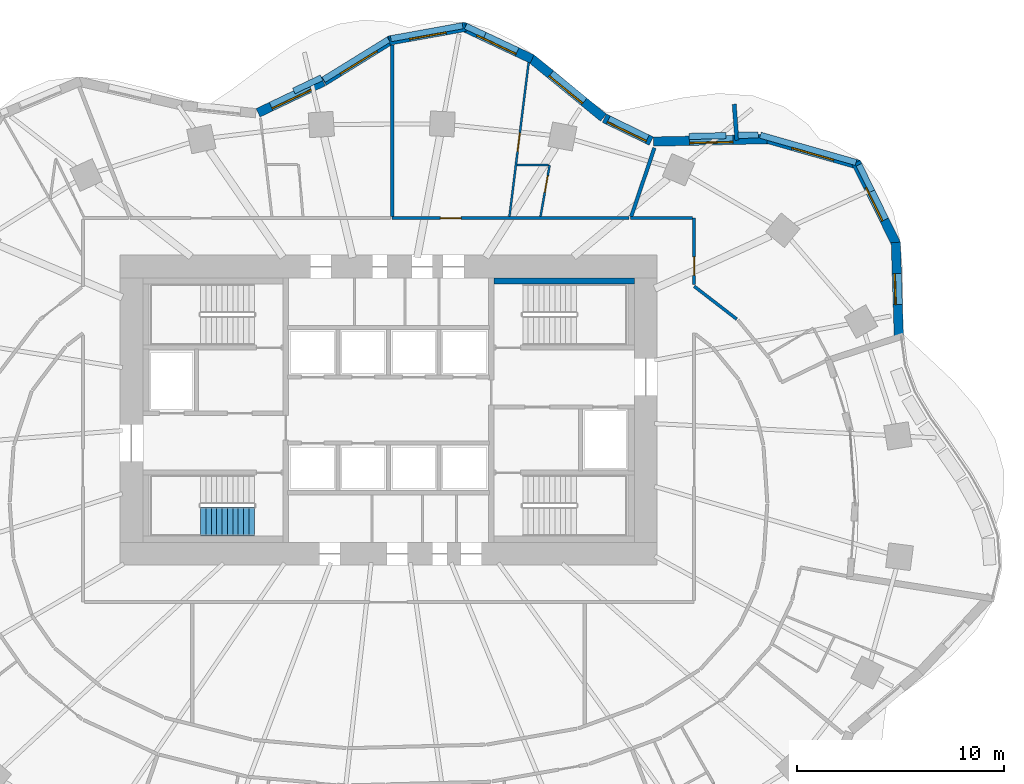
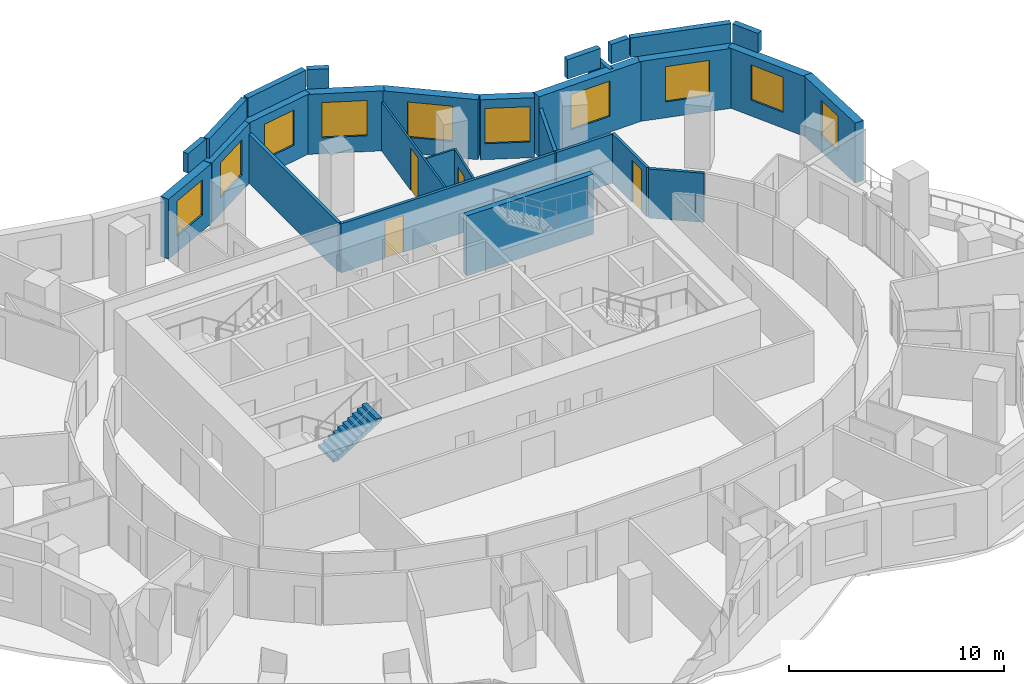
# One storey, part 10 of 13: 29 walls, 10 windows, 4 doors, 1 stair flight, 14 openings, 1 element without a shape of its own.
"""IFC4 building model written with IfcOpenShell, lengths in metres."""

from ifc_helpers import new_model, si_unit, direction, frame, frame_2d, origin, place, context, subcontext, project, spatial, polyline, rectangle, outline, extrude, material, layer, layer_set, type_object, element, fill, aggregate, save


model = new_model("IFC4")

# Units and contexts
model_context = context("Model", 3, precision=1e-05, world=origin(), true_north=direction((0.0, 1.0)))
body_context = subcontext(model_context, "Body", "Model", "MODEL_VIEW")
ifc_project = project(units=[si_unit("LENGTHUNIT", "METRE"), si_unit("AREAUNIT", "SQUARE_METRE"), si_unit("VOLUMEUNIT", "CUBIC_METRE"), si_unit("PLANEANGLEUNIT", "RADIAN"), si_unit("MASSUNIT", "GRAM", prefix="KILO")], contexts=[model_context])

# Site, building, storey
site_placement = place(None, origin())
site = spatial("IfcSite", under=ifc_project, at=site_placement, CompositionType="ELEMENT")
building_placement = place(site_placement, origin())
building = spatial("IfcBuilding", under=site, at=building_placement, Name="Rubra Terraces Tower", CompositionType="ELEMENT")
storey_placement = place(building_placement, frame((0.0, 0.0, 85.199951171875)))
storey = spatial("IfcBuildingStorey", under=building, at=storey_placement, Name="L19", CompositionType="ELEMENT", Elevation=85.199951171875)

# Walls
ifc_material_1 = material(Name="Twin plasterboard on staggered steel stud, acoustic mineral wool", Category="steel")
ifc_layer_1 = layer(ifc_material_1, 0.175048828125)
ifc_layer_set_1 = layer_set([ifc_layer_1], Name="Twin plasterboard on staggered steel stud, acoustic mineral wool")
wall_type_1 = type_object("IfcWallType", Name="ACOUSTIC PARTY WALL 175", PredefinedType="PARTITIONING", material=ifc_layer_set_1)
wall_1_placement = place(storey_placement, frame((12.8779296875, 17.2001953125, 0.0), z_axis=(0.0, 0.0, 1.0), x_axis=(-0.320642197559, -0.947200391229, 0.0)))
element("IfcWall", 1, at=wall_1_placement, inside=storey, type_object=wall_type_1, Name="PARTITION", PredefinedType="PARTITIONING", context=body_context, shape_type="SweptSolid", body=[
    extrude(rectangle(XDim=3.5146484375, YDim=0.175048828125, at=frame_2d((1.75732421875, 0.0))), origin(), (0.0, 0.0, 1.0), 2.783935546875),
])
wall_2_placement = place(storey_placement, frame((0.189208984375, 22.189697265625, 0.0), z_axis=(0.0, 0.0, 1.0), x_axis=(-0.001967286324, -0.99999806489, 0.0)))
element("IfcWall", 2, at=wall_2_placement, inside=storey, type_object=wall_type_1, Name="PARTITION", PredefinedType="PARTITIONING", context=body_context, shape_type="SweptSolid", body=[
    extrude(rectangle(XDim=8.314697265625, YDim=0.175048828125, at=frame_2d((4.1572265625, 0.0))), origin(), (0.0, 0.0, 1.0), 2.783935546875),
])

# Wall, opening, window
ifc_material_2 = material(Name="Brick masonry red-brown", Category="masonry")
ifc_layer_2 = layer(ifc_material_2, 0.449951171875)
ifc_layer_set_2 = layer_set([ifc_layer_2], Name="Brick masonry red-brown")
wall_type_2 = type_object("IfcWallType", Name="Brick facade wall 450", PredefinedType="SOLIDWALL", material=ifc_layer_set_2)
wall_3_placement = place(storey_placement, frame((24.708984375, 8.09375, 0.0), z_axis=(0.0, 0.0, 1.0), x_axis=(-0.031942732015, 0.999489700733, 0.0)))
wall_3 = element("IfcWall", 3, at=wall_3_placement, inside=storey, type_object=wall_type_2, Name="Facade wall L19 bay 3", PredefinedType="SOLIDWALL", context=body_context, shape_type="SweptSolid", body=[
    extrude(rectangle(XDim=4.5322265625, YDim=0.449951171875, at=frame_2d((2.26611328125, 0.0))), origin(), (0.0, 0.0, 1.0), 3.400146484375),
])
opening_1_placement = place(wall_3_placement, frame((1.51611328125, 0.0, 0.89990234375)))
opening_1 = element("IfcOpeningElement", 4, at=opening_1_placement, cuts=wall_3, Name="Opening W7", PredefinedType="OPENING", context=body_context, shape_type="SweptSolid", body=[
    extrude(rectangle(XDim=1.5, YDim=2.0, at=frame_2d((0.75, 1.0))), frame((0.0, 0.23486328125, 0.0), z_axis=(0.0, -1.0, 0.0), x_axis=(1.0, 0.0, 0.0)), (0.0, 0.0, 1.0), 0.469970703125),
])
ifc_material_3 = material(Name="Clear glass in aluminium frame", Category="aluminium")
window_type_1 = type_object("IfcWindowType", Name="Fixed deep-set window beside terrace 1500 x 2000", PartitioningType="SINGLE_PANEL", PredefinedType="WINDOW", material=ifc_material_3)
window_1_placement = place(opening_1_placement, origin())
window_1 = element("IfcWindow", 5, at=window_1_placement, inside=storey, type_object=window_type_1, Name="Window L19 bay 3", OverallHeight=2.0, OverallWidth=1.5, PartitioningType="SINGLE_PANEL", PredefinedType="WINDOW", context=body_context, shape_type="SweptSolid", body=[
    extrude(rectangle(XDim=1.5, YDim=2.0, at=frame_2d((0.75, 1.0))), frame((0.0, 0.135009765625, 0.0), z_axis=(0.0, -1.0, 0.0), x_axis=(1.0, 0.0, 0.0)), (0.0, 0.0, 1.0), 0.06005859375),
])
fill(opening_1, window_1)

wall_4_placement = place(storey_placement, frame((24.587158203125, 12.531494140625, 0.0), z_axis=(0.0, 0.0, 1.0), x_axis=(-0.441565582365, 0.897228976611, 0.0)))
wall_4 = element("IfcWall", 6, at=wall_4_placement, inside=storey, type_object=wall_type_2, Name="Facade wall L19 bay 4", PredefinedType="SOLIDWALL", context=body_context, shape_type="SweptSolid", body=[
    extrude(rectangle(XDim=4.416015625, YDim=0.449951171875, at=frame_2d((2.2080078125, 0.0))), origin(), (0.0, 0.0, 1.0), 3.400146484375),
])
opening_2_placement = place(wall_4_placement, frame((1.307861328125, 0.0, 0.89990234375)))
opening_2 = element("IfcOpeningElement", 7, at=opening_2_placement, cuts=wall_4, Name="Opening W6", PredefinedType="OPENING", context=body_context, shape_type="SweptSolid", body=[
    extrude(rectangle(XDim=1.800048828125, YDim=2.0, at=frame_2d((0.89990234375, 1.0))), frame((0.0, 0.23486328125, 0.0), z_axis=(0.0, -1.0, 0.0), x_axis=(1.0, 0.0, 0.0)), (0.0, 0.0, 1.0), 0.469970703125),
])
window_type_2 = type_object("IfcWindowType", Name="Fixed deep-set window at wind fin 1800 x 2000", PartitioningType="SINGLE_PANEL", PredefinedType="WINDOW", material=ifc_material_3)
window_2_placement = place(opening_2_placement, origin())
window_2 = element("IfcWindow", 8, at=window_2_placement, inside=storey, type_object=window_type_2, Name="Window L19 bay 4", OverallHeight=2.0, OverallWidth=1.800048828125, PartitioningType="SINGLE_PANEL", PredefinedType="WINDOW", context=body_context, shape_type="SweptSolid", body=[
    extrude(rectangle(XDim=1.800048828125, YDim=2.0, at=frame_2d((0.89990234375, 1.0))), frame((0.0, 0.135009765625, 0.0), z_axis=(0.0, -1.0, 0.0), x_axis=(1.0, 0.0, 0.0)), (0.0, 0.0, 1.0), 0.06005859375),
])
fill(opening_2, window_2)

wall_5_placement = place(storey_placement, frame((22.777587890625, 16.376708984375, 0.0), z_axis=(0.0, 0.0, 1.0), x_axis=(-0.961872816949, 0.273497137123, 0.0)))
wall_5 = element("IfcWall", 9, at=wall_5_placement, inside=storey, type_object=wall_type_2, Name="Facade wall L19 bay 5", PredefinedType="SOLIDWALL", context=body_context, shape_type="SweptSolid", body=[
    extrude(rectangle(XDim=4.584716796875, YDim=0.449951171875, at=frame_2d((2.29248046875, 0.0))), origin(), (0.0, 0.0, 1.0), 3.400146484375),
])
opening_3_placement = place(wall_5_placement, frame((1.242431640625, 0.0, 0.89990234375)))
opening_3 = element("IfcOpeningElement", 10, at=opening_3_placement, cuts=wall_5, Name="Opening W1", PredefinedType="OPENING", context=body_context, shape_type="SweptSolid", body=[
    extrude(rectangle(XDim=2.10009765625, YDim=2.0, at=frame_2d((1.050048828125, 1.0))), frame((0.0, 0.23486328125, 0.0), z_axis=(0.0, -1.0, 0.0), x_axis=(1.0, 0.0, 0.0)), (0.0, 0.0, 1.0), 0.469970703125),
])
window_type_3 = type_object("IfcWindowType", Name="Fixed deep-set window 2100 x 2000", PartitioningType="SINGLE_PANEL", PredefinedType="WINDOW", material=ifc_material_3)
window_3_placement = place(opening_3_placement, origin())
window_3 = element("IfcWindow", 11, at=window_3_placement, inside=storey, type_object=window_type_3, Name="Window L19 bay 5", OverallHeight=2.0, OverallWidth=2.10009765625, PartitioningType="SINGLE_PANEL", PredefinedType="WINDOW", context=body_context, shape_type="SweptSolid", body=[
    extrude(rectangle(XDim=2.10009765625, YDim=2.0, at=frame_2d((1.050048828125, 1.0))), frame((0.0, 0.135009765625, 0.0), z_axis=(0.0, -1.0, 0.0), x_axis=(1.0, 0.0, 0.0)), (0.0, 0.0, 1.0), 0.06005859375),
])
fill(opening_3, window_3)

wall_6_placement = place(storey_placement, frame((18.433837890625, 17.622314453125, 0.0), z_axis=(0.0, 0.0, 1.0), x_axis=(-0.999773749739, -0.021270856405, 0.0)))
wall_6 = element("IfcWall", 12, at=wall_6_placement, inside=storey, type_object=wall_type_2, Name="Facade wall L19 bay 6", PredefinedType="SOLIDWALL", context=body_context, shape_type="SweptSolid", body=[
    extrude(rectangle(XDim=5.612548828125, YDim=0.449951171875, at=frame_2d((2.80615234375, 0.0))), origin(), (0.0, 0.0, 1.0), 3.400146484375),
])
opening_4_placement = place(wall_6_placement, frame((1.75634765625, 0.0, 0.89990234375)))
opening_4 = element("IfcOpeningElement", 13, at=opening_4_placement, cuts=wall_6, Name="Opening W1", PredefinedType="OPENING", context=body_context, shape_type="SweptSolid", body=[
    extrude(rectangle(XDim=2.10009765625, YDim=2.0, at=frame_2d((1.050048828125, 1.0))), frame((0.0, 0.23486328125, 0.0), z_axis=(0.0, -1.0, 0.0), x_axis=(1.0, 0.0, 0.0)), (0.0, 0.0, 1.0), 0.469970703125),
])
window_4_placement = place(opening_4_placement, origin())
window_4 = element("IfcWindow", 14, at=window_4_placement, inside=storey, type_object=window_type_3, Name="Window L19 bay 6", OverallHeight=2.0, OverallWidth=2.10009765625, PartitioningType="SINGLE_PANEL", PredefinedType="WINDOW", context=body_context, shape_type="SweptSolid", body=[
    extrude(rectangle(XDim=2.10009765625, YDim=2.0, at=frame_2d((1.050048828125, 1.0))), frame((0.0, 0.135009765625, 0.0), z_axis=(0.0, -1.0, 0.0), x_axis=(1.0, 0.0, 0.0)), (0.0, 0.0, 1.0), 0.06005859375),
])
fill(opening_4, window_4)

wall_7_placement = place(storey_placement, frame((12.718994140625, 17.52587890625, 0.0), z_axis=(0.0, 0.0, 1.0), x_axis=(-0.898643806462, 0.438679050226, 0.0)))
wall_7 = element("IfcWall", 15, at=wall_7_placement, inside=storey, type_object=wall_type_2, Name="Facade wall L19 bay 7", PredefinedType="SOLIDWALL", context=body_context, shape_type="SweptSolid", body=[
    extrude(rectangle(XDim=2.5234375, YDim=0.449951171875, at=frame_2d((1.26171875, 0.0))), origin(), (0.0, 0.0, 1.0), 3.400146484375),
])
opening_5_placement = place(wall_7_placement, frame((0.2119140625, 0.0, 0.89990234375)))
opening_5 = element("IfcOpeningElement", 16, at=opening_5_placement, cuts=wall_7, Name="Opening W1", PredefinedType="OPENING", context=body_context, shape_type="SweptSolid", body=[
    extrude(rectangle(XDim=2.10009765625, YDim=2.0, at=frame_2d((1.050048828125, 1.0))), frame((0.0, 0.23486328125, 0.0), z_axis=(0.0, -1.0, 0.0), x_axis=(1.0, 0.0, 0.0)), (0.0, 0.0, 1.0), 0.469970703125),
])
window_5_placement = place(opening_5_placement, origin())
window_5 = element("IfcWindow", 17, at=window_5_placement, inside=storey, type_object=window_type_3, Name="Window L19 bay 7", OverallHeight=2.0, OverallWidth=2.10009765625, PartitioningType="SINGLE_PANEL", PredefinedType="WINDOW", context=body_context, shape_type="SweptSolid", body=[
    extrude(rectangle(XDim=2.10009765625, YDim=2.0, at=frame_2d((1.050048828125, 1.0))), frame((0.0, 0.135009765625, 0.0), z_axis=(0.0, -1.0, 0.0), x_axis=(1.0, 0.0, 0.0)), (0.0, 0.0, 1.0), 0.06005859375),
])
fill(opening_5, window_5)

wall_8_placement = place(storey_placement, frame((10.407470703125, 18.660888671875, 0.0), z_axis=(0.0, 0.0, 1.0), x_axis=(-0.773702458947, 0.633549133864, 0.0)))
wall_8 = element("IfcWall", 18, at=wall_8_placement, inside=storey, type_object=wall_type_2, Name="Facade wall L19 bay 8", PredefinedType="SOLIDWALL", context=body_context, shape_type="SweptSolid", body=[
    extrude(rectangle(XDim=4.525634765625, YDim=0.449951171875, at=frame_2d((2.2626953125, 0.0))), origin(), (0.0, 0.0, 1.0), 3.400146484375),
])
opening_6_placement = place(wall_8_placement, frame((1.212890625, 0.0, 0.89990234375)))
opening_6 = element("IfcOpeningElement", 19, at=opening_6_placement, cuts=wall_8, Name="Opening W1", PredefinedType="OPENING", context=body_context, shape_type="SweptSolid", body=[
    extrude(rectangle(XDim=2.10009765625, YDim=2.0, at=frame_2d((1.050048828125, 1.0))), frame((0.0, 0.23486328125, 0.0), z_axis=(0.0, -1.0, 0.0), x_axis=(1.0, 0.0, 0.0)), (0.0, 0.0, 1.0), 0.469970703125),
])
window_6_placement = place(opening_6_placement, origin())
window_6 = element("IfcWindow", 20, at=window_6_placement, inside=storey, type_object=window_type_3, Name="Window L19 bay 8", OverallHeight=2.0, OverallWidth=2.10009765625, PartitioningType="SINGLE_PANEL", PredefinedType="WINDOW", context=body_context, shape_type="SweptSolid", body=[
    extrude(rectangle(XDim=2.10009765625, YDim=2.0, at=frame_2d((1.050048828125, 1.0))), frame((0.0, 0.135009765625, 0.0), z_axis=(0.0, -1.0, 0.0), x_axis=(1.0, 0.0, 0.0)), (0.0, 0.0, 1.0), 0.06005859375),
])
fill(opening_6, window_6)

wall_9_placement = place(storey_placement, frame((6.952880859375, 21.49853515625, 0.0), z_axis=(0.0, 0.0, 1.0), x_axis=(-0.905034581957, 0.425337989676, 0.0)))
wall_9 = element("IfcWall", 21, at=wall_9_placement, inside=storey, type_object=wall_type_2, Name="Facade wall L19 bay 9", PredefinedType="SOLIDWALL", context=body_context, shape_type="SweptSolid", body=[
    extrude(rectangle(XDim=3.71435546875, YDim=0.449951171875, at=frame_2d((1.857177734375, 0.0))), origin(), (0.0, 0.0, 1.0), 3.400146484375),
])
opening_7_placement = place(wall_9_placement, frame((0.80712890625, 0.0, 0.89990234375)))
opening_7 = element("IfcOpeningElement", 22, at=opening_7_placement, cuts=wall_9, Name="Opening W1", PredefinedType="OPENING", context=body_context, shape_type="SweptSolid", body=[
    extrude(rectangle(XDim=2.10009765625, YDim=2.0, at=frame_2d((1.050048828125, 1.0))), frame((0.0, 0.23486328125, 0.0), z_axis=(0.0, -1.0, 0.0), x_axis=(1.0, 0.0, 0.0)), (0.0, 0.0, 1.0), 0.469970703125),
])
window_7_placement = place(opening_7_placement, origin())
window_7 = element("IfcWindow", 23, at=window_7_placement, inside=storey, type_object=window_type_3, Name="Window L19 bay 9", OverallHeight=2.0, OverallWidth=2.10009765625, PartitioningType="SINGLE_PANEL", PredefinedType="WINDOW", context=body_context, shape_type="SweptSolid", body=[
    extrude(rectangle(XDim=2.10009765625, YDim=2.0, at=frame_2d((1.050048828125, 1.0))), frame((0.0, 0.135009765625, 0.0), z_axis=(0.0, -1.0, 0.0), x_axis=(1.0, 0.0, 0.0)), (0.0, 0.0, 1.0), 0.06005859375),
])
fill(opening_7, window_7)

wall_10_placement = place(storey_placement, frame((3.726806640625, 23.060546875, 0.0), z_axis=(0.0, 0.0, 1.0), x_axis=(-0.984119180424, -0.177508982087, 0.0)))
wall_10 = element("IfcWall", 24, at=wall_10_placement, inside=storey, type_object=wall_type_2, Name="Facade wall L19 bay 10", PredefinedType="SOLIDWALL", context=body_context, shape_type="SweptSolid", body=[
    extrude(rectangle(XDim=3.74658203125, YDim=0.449951171875, at=frame_2d((1.873291015625, 0.0))), origin(), (0.0, 0.0, 1.0), 3.400146484375),
])
opening_8_placement = place(wall_10_placement, frame((0.97314453125, 0.0, 0.89990234375)))
opening_8 = element("IfcOpeningElement", 25, at=opening_8_placement, cuts=wall_10, Name="Opening W6", PredefinedType="OPENING", context=body_context, shape_type="SweptSolid", body=[
    extrude(rectangle(XDim=1.800048828125, YDim=2.0, at=frame_2d((0.89990234375, 1.0))), frame((0.0, 0.23486328125, 0.0), z_axis=(0.0, -1.0, 0.0), x_axis=(1.0, 0.0, 0.0)), (0.0, 0.0, 1.0), 0.469970703125),
])
window_8_placement = place(opening_8_placement, origin())
window_8 = element("IfcWindow", 26, at=window_8_placement, inside=storey, type_object=window_type_2, Name="Window L19 bay 10", OverallHeight=2.0, OverallWidth=1.800048828125, PartitioningType="SINGLE_PANEL", PredefinedType="WINDOW", context=body_context, shape_type="SweptSolid", body=[
    extrude(rectangle(XDim=1.800048828125, YDim=2.0, at=frame_2d((0.89990234375, 1.0))), frame((0.0, 0.135009765625, 0.0), z_axis=(0.0, -1.0, 0.0), x_axis=(1.0, 0.0, 0.0)), (0.0, 0.0, 1.0), 0.06005859375),
])
fill(opening_8, window_8)

wall_11_placement = place(storey_placement, frame((0.114990234375, 22.423583984375, 0.0), z_axis=(0.0, 0.0, 1.0), x_axis=(-0.8506970368, -0.525656305564, 0.0)))
wall_11 = element("IfcWall", 27, at=wall_11_placement, inside=storey, type_object=wall_type_2, Name="Facade wall L19 bay 11", PredefinedType="SOLIDWALL", context=body_context, shape_type="SweptSolid", body=[
    extrude(rectangle(XDim=3.81640625, YDim=0.449951171875, at=frame_2d((1.908203125, 0.0))), origin(), (0.0, 0.0, 1.0), 3.400146484375),
])
opening_9_placement = place(wall_11_placement, frame((0.858154296875, 0.0, 0.89990234375)))
opening_9 = element("IfcOpeningElement", 28, at=opening_9_placement, cuts=wall_11, Name="Opening W1", PredefinedType="OPENING", context=body_context, shape_type="SweptSolid", body=[
    extrude(rectangle(XDim=2.10009765625, YDim=2.0, at=frame_2d((1.050048828125, 1.0))), frame((0.0, 0.23486328125, 0.0), z_axis=(0.0, -1.0, 0.0), x_axis=(1.0, 0.0, 0.0)), (0.0, 0.0, 1.0), 0.469970703125),
])
window_9_placement = place(opening_9_placement, origin())
window_9 = element("IfcWindow", 29, at=window_9_placement, inside=storey, type_object=window_type_3, Name="Window L19 bay 11", OverallHeight=2.0, OverallWidth=2.10009765625, PartitioningType="SINGLE_PANEL", PredefinedType="WINDOW", context=body_context, shape_type="SweptSolid", body=[
    extrude(rectangle(XDim=2.10009765625, YDim=2.0, at=frame_2d((1.050048828125, 1.0))), frame((0.0, 0.135009765625, 0.0), z_axis=(0.0, -1.0, 0.0), x_axis=(1.0, 0.0, 0.0)), (0.0, 0.0, 1.0), 0.06005859375),
])
fill(opening_9, window_9)

wall_12_placement = place(storey_placement, frame((-3.153564453125, 20.406005859375, 0.0), z_axis=(0.0, 0.0, 1.0), x_axis=(-0.902333313, -0.431038968367, 0.0)))
wall_12 = element("IfcWall", 30, at=wall_12_placement, inside=storey, type_object=wall_type_2, Name="Facade wall L19 bay 12", PredefinedType="SOLIDWALL", context=body_context, shape_type="SweptSolid", body=[
    extrude(rectangle(XDim=3.50537109375, YDim=0.449951171875, at=frame_2d((1.752685546875, 0.0))), origin(), (0.0, 0.0, 1.0), 3.400146484375),
])
opening_10_placement = place(wall_12_placement, frame((0.702880859375, 0.0, 0.89990234375)))
opening_10 = element("IfcOpeningElement", 31, at=opening_10_placement, cuts=wall_12, Name="Opening W1", PredefinedType="OPENING", context=body_context, shape_type="SweptSolid", body=[
    extrude(rectangle(XDim=2.10009765625, YDim=2.0, at=frame_2d((1.050048828125, 1.0))), frame((0.0, 0.23486328125, 0.0), z_axis=(0.0, -1.0, 0.0), x_axis=(1.0, 0.0, 0.0)), (0.0, 0.0, 1.0), 0.469970703125),
])
window_10_placement = place(opening_10_placement, origin())
window_10 = element("IfcWindow", 32, at=window_10_placement, inside=storey, type_object=window_type_3, Name="Window L19 bay 12", OverallHeight=2.0, OverallWidth=2.10009765625, PartitioningType="SINGLE_PANEL", PredefinedType="WINDOW", context=body_context, shape_type="SweptSolid", body=[
    extrude(rectangle(XDim=2.10009765625, YDim=2.0, at=frame_2d((1.050048828125, 1.0))), frame((0.0, 0.135009765625, 0.0), z_axis=(0.0, -1.0, 0.0), x_axis=(1.0, 0.0, 0.0)), (0.0, 0.0, 1.0), 0.06005859375),
])
fill(opening_10, window_10)

# Walls
ifc_layer_3 = layer(ifc_material_2, 0.300048828125)
ifc_layer_set_3 = layer_set([ifc_layer_3], Name="Brick masonry red-brown")
wall_type_3 = type_object("IfcWallType", Name="Brick parapet 300", PredefinedType="PARAPET", material=ifc_layer_set_3)
wall_13_placement = place(storey_placement, frame((23.40673828125, 15.099609375, 3.60009765625), z_axis=(0.0, 0.0, 1.0), x_axis=(-0.441525139575, 0.897248879143, 0.0)))
element("IfcWall", 33, at=wall_13_placement, inside=storey, type_object=wall_type_3, Name="Parapet L19 bay 4", PredefinedType="PARAPET", context=body_context, shape_type="SweptSolid", body=[
    extrude(rectangle(XDim=1.42724609375, YDim=0.300048828125, at=frame_2d((0.713623046875, 0.0))), origin(), (0.0, 0.0, 1.0), 1.099853515625),
])
wall_14_placement = place(storey_placement, frame((22.640869140625, 16.493408203125, 3.60009765625), z_axis=(0.0, 0.0, 1.0), x_axis=(-0.961855991684, 0.273556303641, 0.0)))
element("IfcWall", 34, at=wall_14_placement, inside=storey, type_object=wall_type_3, Name="Parapet L19 bay 5", PredefinedType="PARAPET", context=body_context, shape_type="SweptSolid", body=[
    extrude(rectangle(XDim=4.817626953125, YDim=0.300048828125, at=frame_2d((2.40869140625, 0.0))), origin(), (0.0, 0.0, 1.0), 1.099853515625),
])
wall_15_placement = place(storey_placement, frame((17.904052734375, 17.824462890625, 3.60009765625), z_axis=(0.0, 0.0, 1.0), x_axis=(-0.999771907309, -0.021357278744, 0.0)))
element("IfcWall", 35, at=wall_15_placement, inside=storey, type_object=wall_type_3, Name="Parapet L19 bay 6", PredefinedType="PARAPET", context=body_context, shape_type="SweptSolid", body=[
    extrude(rectangle(XDim=0.9716796875, YDim=0.300048828125, at=frame_2d((0.48583984375, 0.0))), origin(), (0.0, 0.0, 1.0), 1.099853515625),
])
wall_16_placement = place(storey_placement, frame((16.339599609375, 17.791259765625, 3.60009765625), z_axis=(0.0, 0.0, 1.0), x_axis=(-0.999776010316, -0.021164337831, 0.0)))
element("IfcWall", 36, at=wall_16_placement, inside=storey, type_object=wall_type_3, Name="Parapet L19 bay 6.2", PredefinedType="PARAPET", context=body_context, shape_type="SweptSolid", body=[
    extrude(rectangle(XDim=1.7880859375, YDim=0.300048828125, at=frame_2d((0.89404296875, 0.0))), origin(), (0.0, 0.0, 1.0), 1.099853515625),
])
wall_17_placement = place(storey_placement, frame((4.66650390625, 22.656005859375, 3.60009765625), z_axis=(0.0, 0.0, 1.0), x_axis=(-0.905050240273, 0.425304670304, 0.0)))
element("IfcWall", 37, at=wall_17_placement, inside=storey, type_object=wall_type_3, Name="Parapet L19 bay 9", PredefinedType="PARAPET", context=body_context, shape_type="SweptSolid", body=[
    extrude(rectangle(XDim=1.02685546875, YDim=0.300048828125, at=frame_2d((0.513427734375, 0.0))), origin(), (0.0, 0.0, 1.0), 1.099853515625),
])
wall_18_placement = place(storey_placement, frame((3.58984375, 23.112060546875, 3.60009765625), z_axis=(0.0, 0.0, 1.0), x_axis=(-0.984124248147, -0.177480884064, 0.0)))
element("IfcWall", 38, at=wall_18_placement, inside=storey, type_object=wall_type_3, Name="Parapet L19 bay 10", PredefinedType="PARAPET", context=body_context, shape_type="SweptSolid", body=[
    extrude(rectangle(XDim=3.533935546875, YDim=0.300048828125, at=frame_2d((1.76708984375, 0.0))), origin(), (0.0, 0.0, 1.0), 1.099853515625),
])
wall_19_placement = place(storey_placement, frame((0.0048828125, 22.443603515625, 3.60009765625), z_axis=(0.0, 0.0, 1.0), x_axis=(-0.850710394144, -0.525634688063, 0.0)))
element("IfcWall", 39, at=wall_19_placement, inside=storey, type_object=wall_type_3, Name="Parapet L19 bay 11", PredefinedType="PARAPET", context=body_context, shape_type="SweptSolid", body=[
    extrude(rectangle(XDim=3.701904296875, YDim=0.300048828125, at=frame_2d((1.85107421875, 0.0))), origin(), (0.0, 0.0, 1.0), 1.099853515625),
])
wall_20_placement = place(storey_placement, frame((-3.2392578125, 20.594482421875, 3.60009765625), z_axis=(0.0, 0.0, 1.0), x_axis=(-0.902344893923, -0.431014724123, 0.0)))
element("IfcWall", 40, at=wall_20_placement, inside=storey, type_object=wall_type_3, Name="Parapet L19 bay 12", PredefinedType="PARAPET", context=body_context, shape_type="SweptSolid", body=[
    extrude(rectangle(XDim=1.48974609375, YDim=0.300048828125, at=frame_2d((0.744873046875, 0.0))), origin(), (0.0, 0.0, 1.0), 1.099853515625),
])
ifc_layer_4 = layer(ifc_material_2, 0.199951171875)
ifc_layer_set_4 = layer_set([ifc_layer_4], Name="Brick masonry red-brown")
wall_type_4 = type_object("IfcWallType", Name="Brick wind fin 200", PredefinedType="SOLIDWALL", material=ifc_layer_set_4)
wall_21_placement = place(storey_placement, frame((16.868896484375, 17.56591796875, 0.0), z_axis=(0.0, 0.0, 1.0), x_axis=(-0.073655868346, 0.997283717434, 0.0)))
element("IfcWall", 41, at=wall_21_placement, inside=storey, type_object=wall_type_4, Name="Wind fin L19 4", PredefinedType="SOLIDWALL", context=body_context, shape_type="SweptSolid", body=[
    extrude(rectangle(XDim=1.75, YDim=0.199951171875, at=frame_2d((0.875, 0.0))), origin(), (0.0, 0.0, 1.0), 3.400146484375),
])
ifc_material_4 = material(Name="Plasterboard on steel stud, mineral wool infill", Category="steel")
ifc_layer_5 = layer(ifc_material_4, 0.14990234375)
ifc_layer_set_5 = layer_set([ifc_layer_5], Name="Plasterboard on steel stud, mineral wool infill")
wall_type_5 = type_object("IfcWallType", Name="CORRIDOR PARTITION 150", PredefinedType="PARTITIONING", material=ifc_layer_set_5)
wall_22_placement = place(storey_placement, frame((16.86181640625, 8.905029296875, 0.0), z_axis=(0.0, 0.0, 1.0), x_axis=(-0.791542595332, 0.611113999001, 0.0)))
element("IfcWall", 42, at=wall_22_placement, inside=storey, type_object=wall_type_5, Name="PARTITION", PredefinedType="PARTITIONING", context=body_context, shape_type="SweptSolid", body=[
    extrude(rectangle(XDim=2.604736328125, YDim=0.14990234375, at=frame_2d((1.30224609375, 0.0))), origin(), (0.0, 0.0, 1.0), 2.783935546875),
])

# Wall, opening, door
wall_23_placement = place(storey_placement, frame((14.800048828125, 10.57177734375, 0.0), z_axis=(0.0, 0.0, 1.0), x_axis=(0.0, 1.0, 0.0)))
wall_23 = element("IfcWall", 43, at=wall_23_placement, inside=storey, type_object=wall_type_5, Name="PARTITION", PredefinedType="PARTITIONING", context=body_context, shape_type="SweptSolid", body=[
    extrude(rectangle(XDim=3.228271484375, YDim=0.14990234375, at=frame_2d((1.6142578125, 0.0))), origin(), (0.0, 0.0, 1.0), 2.783935546875),
])
opening_11_placement = place(wall_23_placement, frame((0.449951171875, 0.0, 0.0)))
opening_11 = element("IfcOpeningElement", 44, at=opening_11_placement, cuts=wall_23, Name="Opening 19-102", PredefinedType="OPENING", context=body_context, shape_type="SweptSolid", body=[
    extrude(rectangle(XDim=0.89990234375, YDim=2.39990234375, at=frame_2d((0.449951171875, 1.199951171875))), frame((0.0, 0.0849609375, 0.0), z_axis=(0.0, -1.0, 0.0), x_axis=(1.0, 0.0, 0.0)), (0.0, 0.0, 1.0), 0.169921875),
])
ifc_material_5 = material(Name="Veneered timber door leaf, fire-rated", Category="wood")
door_type_1 = type_object("IfcDoorType", Name="SUITE ENTRANCE DOOR 900 X 2400", OperationType="SINGLE_SWING_LEFT", PredefinedType="DOOR", material=ifc_material_5)
door_1_placement = place(opening_11_placement, origin())
door_1 = element("IfcDoor", 45, at=door_1_placement, inside=storey, type_object=door_type_1, Name="DOOR 19-102", OperationType="SINGLE_SWING_RIGHT", OverallHeight=2.39990234375, OverallWidth=0.89990234375, PredefinedType="DOOR", context=body_context, shape_type="SweptSolid", body=[
    extrude(rectangle(XDim=0.89990234375, YDim=2.39990234375, at=frame_2d((0.449951171875, 1.199951171875))), frame((0.0, 0.02490234375, 0.0), z_axis=(0.0, -1.0, 0.0), x_axis=(1.0, 0.0, 0.0)), (0.0, 0.0, 1.0), 0.050048828125),
])
fill(opening_11, door_1)

# Wall
wall_24_placement = place(storey_placement, frame((14.72509765625, 13.800048828125, 0.0), z_axis=(0.0, 0.0, 1.0), x_axis=(-1.0, 0.0, 0.0)))
element("IfcWall", 46, at=wall_24_placement, inside=storey, type_object=wall_type_5, Name="PARTITION", PredefinedType="PARTITIONING", context=body_context, shape_type="SweptSolid", body=[
    extrude(rectangle(XDim=2.998291015625, YDim=0.14990234375, at=frame_2d((1.4990234375, 0.0))), origin(), (0.0, 0.0, 1.0), 2.783935546875),
])

# Wall, opening, door
wall_25_placement = place(storey_placement, frame((11.65185546875, 13.800048828125, 0.0), z_axis=(0.0, 0.0, 1.0), x_axis=(-1.0, 0.0, 0.0)))
wall_25 = element("IfcWall", 47, at=wall_25_placement, inside=storey, type_object=wall_type_5, Name="PARTITION", PredefinedType="PARTITIONING", context=body_context, shape_type="SweptSolid", body=[
    extrude(rectangle(XDim=11.479248046875, YDim=0.14990234375, at=frame_2d((5.73974609375, 0.0))), origin(), (0.0, 0.0, 1.0), 2.783935546875),
])
opening_12_placement = place(wall_25_placement, frame((8.14208984375, 0.0, 0.0)))
opening_12 = element("IfcOpeningElement", 48, at=opening_12_placement, cuts=wall_25, Name="Opening 19-105", PredefinedType="OPENING", context=body_context, shape_type="SweptSolid", body=[
    extrude(rectangle(XDim=1.0, YDim=2.10009765625, at=frame_2d((0.5, 1.050048828125))), frame((0.0, 0.0849609375, 0.0), z_axis=(0.0, -1.0, 0.0), x_axis=(1.0, 0.0, 0.0)), (0.0, 0.0, 1.0), 0.169921875),
])
ifc_material_6 = material(Name="Painted timber door leaf", Category="wood")
door_type_2 = type_object("IfcDoorType", Name="ROOM DOOR 1000 X 2100", OperationType="SINGLE_SWING_LEFT", PredefinedType="DOOR", material=ifc_material_6)
door_2_placement = place(opening_12_placement, origin())
door_2 = element("IfcDoor", 49, at=door_2_placement, inside=storey, type_object=door_type_2, Name="DOOR 19-105", OperationType="SINGLE_SWING_RIGHT", OverallHeight=2.10009765625, OverallWidth=1.0, PredefinedType="DOOR", context=body_context, shape_type="SweptSolid", body=[
    extrude(rectangle(XDim=1.0, YDim=2.10009765625, at=frame_2d((0.5, 1.050048828125))), frame((0.0, 0.02490234375, 0.0), z_axis=(0.0, -1.0, 0.0), x_axis=(1.0, 0.0, 0.0)), (0.0, 0.0, 1.0), 0.050048828125),
])
fill(opening_12, door_2)

# Wall
ifc_material_7 = material(Name="Concrete C40", Category="concrete")
ifc_layer_6 = layer(ifc_material_7, 0.300048828125)
ifc_layer_set_6 = layer_set([ifc_layer_6], Name="Concrete C40")
wall_type_6 = type_object("IfcWallType", Name="Core lining wall 300 concrete", PredefinedType="SOLIDWALL", material=ifc_layer_set_6)
wall_26_placement = place(storey_placement, frame((11.89990234375, 10.75, 0.0), z_axis=(0.0, 0.0, 1.0), x_axis=(-1.0, 0.0, 0.0)))
element("IfcWall", 50, at=wall_26_placement, inside=storey, type_object=wall_type_6, Name="CORE LINING WALL L19", PredefinedType="SOLIDWALL", context=body_context, shape_type="SweptSolid", body=[
    extrude(rectangle(XDim=6.7998046875, YDim=0.300048828125, at=frame_2d((3.39990234375, 0.0))), origin(), (0.0, 0.0, 1.0), 3.400146484375),
])

# Wall, opening, door
ifc_material_8 = material(Name="Plasterboard on steel stud", Category="steel")
ifc_layer_7 = layer(ifc_material_8, 0.10009765625)
ifc_layer_set_7 = layer_set([ifc_layer_7], Name="Plasterboard on steel stud")
wall_type_7 = type_object("IfcWallType", Name="ROOM PARTITION 100", PredefinedType="PARTITIONING", material=ifc_layer_set_7)
wall_27_placement = place(storey_placement, frame((6.784423828125, 21.32470703125, 0.0), z_axis=(0.0, 0.0, 1.0), x_axis=(-0.123570456303, -0.992335801193, 0.0)))
wall_27 = element("IfcWall", 51, at=wall_27_placement, inside=storey, type_object=wall_type_7, Name="PARTITION", PredefinedType="PARTITIONING", context=body_context, shape_type="SweptSolid", body=[
    extrude(rectangle(XDim=7.5078125, YDim=0.10009765625, at=frame_2d((3.75390625, 0.0))), origin(), (0.0, 0.0, 1.0), 2.783935546875),
])
opening_13_placement = place(wall_27_placement, frame((3.43310546875, 0.0, 0.0)))
opening_13 = element("IfcOpeningElement", 52, at=opening_13_placement, cuts=wall_27, Name="Opening 19-104", PredefinedType="OPENING", context=body_context, shape_type="SweptSolid", body=[
    extrude(rectangle(XDim=0.89990234375, YDim=2.39990234375, at=frame_2d((0.449951171875, 1.199951171875))), frame((0.0, 0.06005859375, 0.0), z_axis=(0.0, -1.0, 0.0), x_axis=(1.0, 0.0, 0.0)), (0.0, 0.0, 1.0), 0.1201171875),
])
door_3_placement = place(opening_13_placement, origin())
door_3 = element("IfcDoor", 53, at=door_3_placement, inside=storey, type_object=door_type_1, Name="DOOR 19-104", OperationType="SINGLE_SWING_LEFT", OverallHeight=2.39990234375, OverallWidth=0.89990234375, PredefinedType="DOOR", context=body_context, shape_type="SweptSolid", body=[
    extrude(rectangle(XDim=0.89990234375, YDim=2.39990234375, at=frame_2d((0.449951171875, 1.199951171875))), frame((0.0, 0.02490234375, 0.0), z_axis=(0.0, -1.0, 0.0), x_axis=(1.0, 0.0, 0.0)), (0.0, 0.0, 1.0), 0.050048828125),
])
fill(opening_13, door_3)

wall_28_placement = place(storey_placement, frame((7.360595703125, 13.873779296875, 0.0), z_axis=(0.0, 0.0, 1.0), x_axis=(0.17451886907, 0.984653829698, 0.0)))
wall_28 = element("IfcWall", 54, at=wall_28_placement, inside=storey, type_object=wall_type_7, Name="PARTITION", PredefinedType="PARTITIONING", context=body_context, shape_type="SweptSolid", body=[
    extrude(rectangle(XDim=2.525146484375, YDim=0.10009765625, at=frame_2d((1.2626953125, 0.0))), origin(), (0.0, 0.0, 1.0), 2.783935546875),
])
opening_14_placement = place(wall_28_placement, frame((1.199951171875, 0.0, 0.0)))
opening_14 = element("IfcOpeningElement", 55, at=opening_14_placement, cuts=wall_28, Name="Opening 19-103", PredefinedType="OPENING", context=body_context, shape_type="SweptSolid", body=[
    extrude(rectangle(XDim=0.800048828125, YDim=2.10009765625, at=frame_2d((0.39990234375, 1.050048828125))), frame((0.0, 0.06005859375, 0.0), z_axis=(0.0, -1.0, 0.0), x_axis=(1.0, 0.0, 0.0)), (0.0, 0.0, 1.0), 0.1201171875),
])
door_type_3 = type_object("IfcDoorType", Name="BATHROOM DOOR 800 X 2100", OperationType="SINGLE_SWING_LEFT", PredefinedType="DOOR", material=ifc_material_6)
door_4_placement = place(opening_14_placement, origin())
door_4 = element("IfcDoor", 56, at=door_4_placement, inside=storey, type_object=door_type_3, Name="DOOR 19-103", OperationType="SINGLE_SWING_LEFT", OverallHeight=2.10009765625, OverallWidth=0.800048828125, PredefinedType="DOOR", context=body_context, shape_type="SweptSolid", body=[
    extrude(rectangle(XDim=0.800048828125, YDim=2.10009765625, at=frame_2d((0.39990234375, 1.050048828125))), frame((0.0, 0.02490234375, 0.0), z_axis=(0.0, -1.0, 0.0), x_axis=(1.0, 0.0, 0.0)), (0.0, 0.0, 1.0), 0.050048828125),
])
fill(opening_14, door_4)

# Wall
wall_29_placement = place(storey_placement, frame((7.751220703125, 16.360595703125, 0.0), z_axis=(0.0, 0.0, 1.0), x_axis=(-0.999924768766, 0.01226608367, 0.0)))
element("IfcWall", 57, at=wall_29_placement, inside=storey, type_object=wall_type_7, Name="PARTITION", PredefinedType="PARTITIONING", context=body_context, shape_type="SweptSolid", body=[
    extrude(rectangle(XDim=1.532470703125, YDim=0.10009765625, at=frame_2d((0.76611328125, 0.0))), origin(), (0.0, 0.0, 1.0), 2.783935546875),
])

# Stair, stair flight
stair_type = type_object("IfcStairType", Name="Core stair 1400", PredefinedType="HALF_TURN_STAIR", material=ifc_material_7)
stair_placement = place(storey_placement, origin())
stair = element("IfcStair", 58, at=stair_placement, inside=storey, type_object=stair_type, Name="L19 Exit stair S1", PredefinedType="HALF_TURN_STAIR")
stair_flight_type = type_object("IfcStairFlightType", Name="Core stair flight 1400", PredefinedType="STRAIGHT", material=ifc_material_7)
stair_flight_placement = place(storey_placement, frame((-9.10009765625, -0.89990234375, 1.800048828125), z_axis=(0.0, 0.0, 1.0), x_axis=(1.0, 0.0, 0.0)))
stair_flight = element("IfcStairFlight", 59, at=stair_flight_placement, type_object=stair_flight_type, Name="S1 flight 2", NumberOfRisers=11, NumberOfTreads=10, PredefinedType="STRAIGHT", RiserHeight=0.163636364, TreadLength=0.26, context=body_context, shape_type="SweptSolid", body=[
    extrude(outline(polyline([(0.0, 0.0), (0.0, 0.16357421875), (0.260009765625, 0.16357421875), (0.260009765625, 0.327392578125), (0.52001953125, 0.327392578125), (0.52001953125, 0.490966796875), (0.780029296875, 0.490966796875), (0.780029296875, 0.654541015625), (1.0400390625, 0.654541015625), (1.0400390625, 0.818115234375), (1.300048828125, 0.818115234375), (1.300048828125, 0.98193359375), (1.56005859375, 0.98193359375), (1.56005859375, 1.1455078125), (1.820068359375, 1.1455078125), (1.820068359375, 1.30908203125), (2.080078125, 1.30908203125), (2.080078125, 1.47265625), (2.340087890625, 1.47265625), (2.340087890625, 1.636474609375), (2.60009765625, 1.636474609375), (2.60009765625, 1.800048828125), (2.60009765625, 1.459228515625), (0.281494140625, 0.0), (0.0, 0.0)])), frame((0.0, 0.699951171875, 0.0), z_axis=(0.0, -1.0, 0.0), x_axis=(1.0, 0.0, 0.0)), (0.0, 0.0, 1.0), 1.39990234375),
])
aggregate(stair, [stair_flight])

save(model, "model.ifc")
